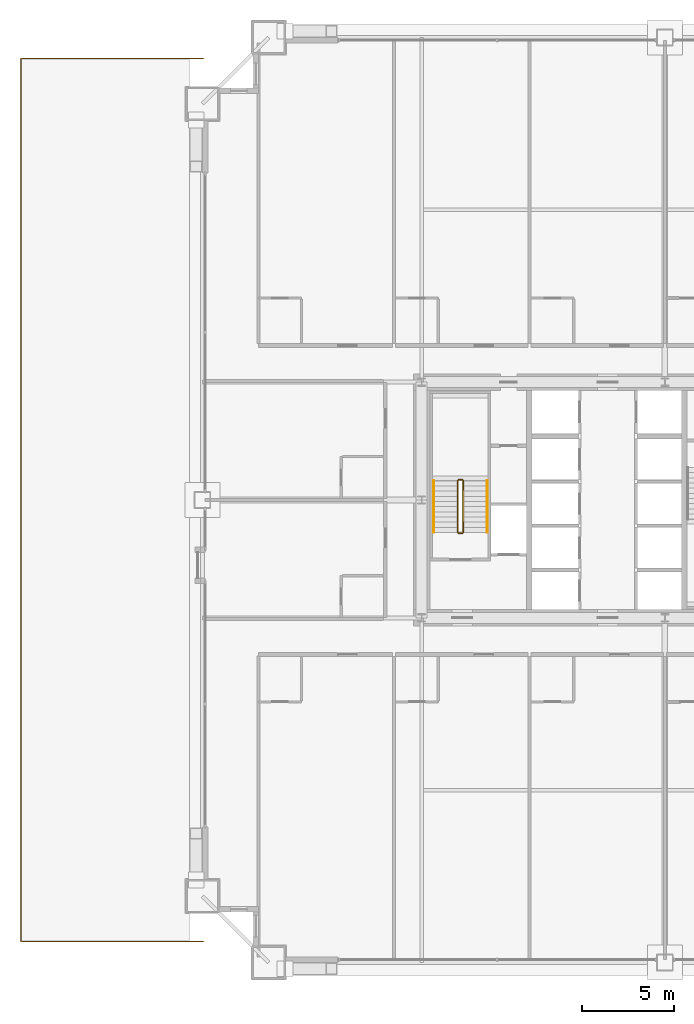
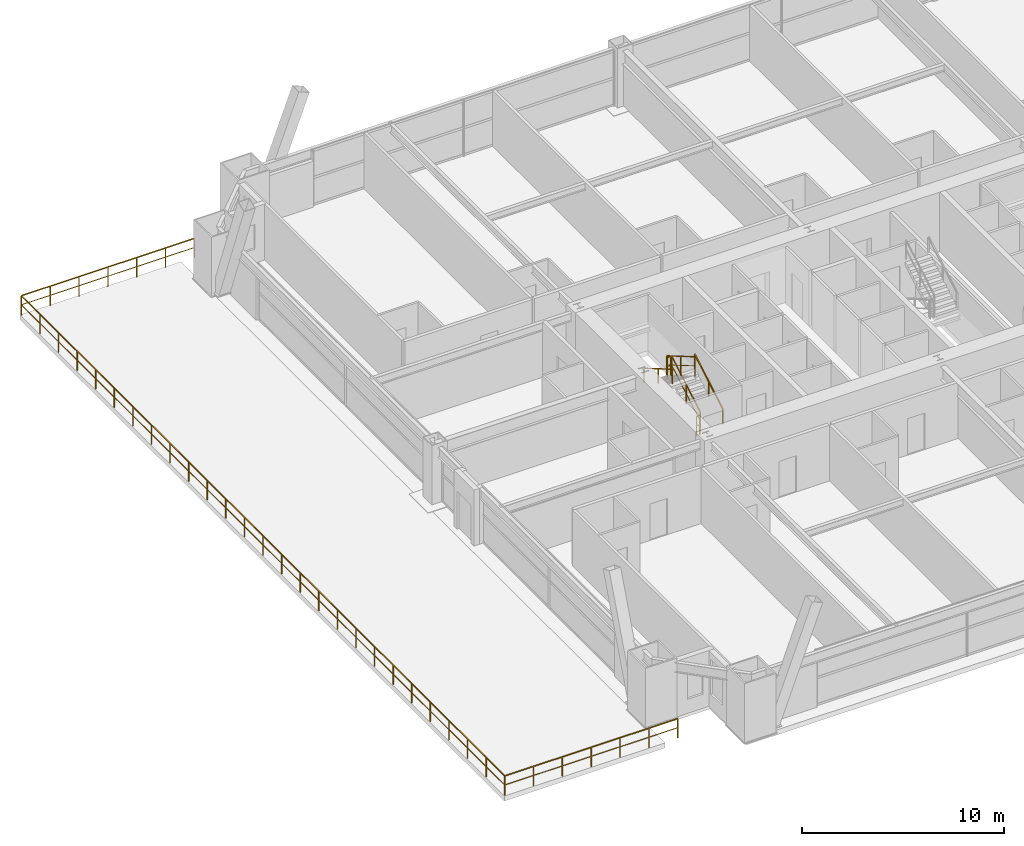
# One storey, part 43 of 45: 7 railings.
"""IFC4 building model written with IfcOpenShell, lengths in metres."""

from ifc_helpers import new_model, si_unit, direction, frame, origin, origin_2d, place, context, subcontext, project, spatial, rectangle, extrude, source, transform, mapped, material, layer, layer_set, type_object, element, save


model = new_model("IFC4")

# Units and contexts
model_context = context("Model", 3, precision=1e-05, world=origin(), true_north=direction((0.0, 1.0)))
body_context = subcontext(model_context, "Body", "Model", "MODEL_VIEW")
ifc_project = project(units=[si_unit("LENGTHUNIT", "METRE"), si_unit("AREAUNIT", "SQUARE_METRE"), si_unit("VOLUMEUNIT", "CUBIC_METRE"), si_unit("PLANEANGLEUNIT", "RADIAN"), si_unit("MASSUNIT", "GRAM", prefix="KILO"), si_unit("THERMODYNAMICTEMPERATUREUNIT", "KELVIN"), si_unit("POWERUNIT", "WATT")], contexts=[model_context])

# Site, building, storey
site_placement = place(None, origin())
site = spatial("IfcSite", under=ifc_project, at=site_placement, CompositionType="ELEMENT")
building_placement = place(site_placement, origin())
building = spatial("IfcBuilding", under=site, at=building_placement, Name="Yuzanri Waterfront Tower", CompositionType="ELEMENT")
storey_placement = place(building_placement, frame((0.0, 0.0, 30.60009765625)))
storey = spatial("IfcBuildingStorey", under=building, at=storey_placement, Name="L07", CompositionType="ELEMENT", Elevation=30.60009765625)

# Railings
ifc_material_1 = material(Name="Anodized Architectural Bronze", Category="metal")
ifc_layer_1 = layer(ifc_material_1, 0.080078125)
ifc_layer_set_1 = layer_set([ifc_layer_1], Name="Anodized Architectural Bronze")
railing_type_1 = type_object("IfcRailingType", Name="Laminated Glass and Bronze Balcony Guardrail 1200", PredefinedType="BALUSTRADE", material=ifc_layer_set_1)
shared_shape_1 = source(origin(), body_context, "Body", "SweptSolid", [
    extrude(rectangle(XDim=0.050048828125, YDim=0.050048828125, at=origin_2d()), frame((0.0, 0.0, 1.1748046875), z_axis=(-1.0, 0.0, 0.0), x_axis=(0.0, -1.0, 0.0)), (0.0, 0.0, 1.0), 9.89990234375),
    extrude(rectangle(XDim=0.035888671875, YDim=0.030029296875, at=origin_2d()), frame((0.0, 0.0, 0.6240234375), z_axis=(-1.0, 0.0, 0.0), x_axis=(0.0, -1.0, 0.0)), (0.0, 0.0, 1.0), 9.89990234375),
    extrude(rectangle(XDim=0.050048828125, YDim=0.050048828125, at=origin_2d()), frame((-9.89990234375, 0.0, 1.1748046875), z_axis=(0.0, 1.0, 0.0), x_axis=(-1.0, 0.0, 0.0)), (0.0, 0.0, 1.0), 47.89990234375),
    extrude(rectangle(XDim=0.035888671875, YDim=0.030029296875, at=origin_2d()), frame((-9.89990234375, 0.0, 0.6240234375), z_axis=(0.0, 1.0, 0.0), x_axis=(-1.0, 0.0, 0.0)), (0.0, 0.0, 1.0), 47.89990234375),
    extrude(rectangle(XDim=0.050048828125, YDim=0.050048828125, at=origin_2d()), frame((-9.89990234375, 47.89990234375, 1.1748046875), z_axis=(1.0, 0.0, 0.0), x_axis=(0.0, 1.0, 0.0)), (0.0, 0.0, 1.0), 9.89990234375),
    extrude(rectangle(XDim=0.035888671875, YDim=0.030029296875, at=origin_2d()), frame((-9.89990234375, 47.89990234375, 0.6240234375), z_axis=(1.0, 0.0, 0.0), x_axis=(0.0, 1.0, 0.0)), (0.0, 0.0, 1.0), 9.89990234375),
    extrude(rectangle(XDim=0.0458984375, YDim=0.0458984375, at=origin_2d()), origin(), (0.0, 0.0, 1.0), 1.14990234375),
    extrude(rectangle(XDim=0.0458984375, YDim=0.0458984375, at=origin_2d()), frame((-1.64990234375, 0.0, 0.0)), (0.0, 0.0, 1.0), 1.14990234375),
    extrude(rectangle(XDim=0.0458984375, YDim=0.0458984375, at=origin_2d()), frame((-3.300048828125, 0.0, 0.0)), (0.0, 0.0, 1.0), 1.14990234375),
    extrude(rectangle(XDim=0.0458984375, YDim=0.0458984375, at=origin_2d()), frame((-4.949951171875, 0.0, 0.0)), (0.0, 0.0, 1.0), 1.14990234375),
    extrude(rectangle(XDim=0.0458984375, YDim=0.0458984375, at=origin_2d()), frame((-6.599853515625, 0.0, 0.0)), (0.0, 0.0, 1.0), 1.14990234375),
    extrude(rectangle(XDim=0.0458984375, YDim=0.0458984375, at=origin_2d()), frame((-8.25, 0.0, 0.0)), (0.0, 0.0, 1.0), 1.14990234375),
    extrude(rectangle(XDim=0.0458984375, YDim=0.0458984375, at=origin_2d()), frame((-9.89990234375, 0.0, 0.0)), (0.0, 0.0, 1.0), 1.14990234375),
    extrude(rectangle(XDim=0.0458984375, YDim=0.0458984375, at=origin_2d()), frame((-9.89990234375, 1.84228515625, 0.0)), (0.0, 0.0, 1.0), 1.14990234375),
    extrude(rectangle(XDim=0.0458984375, YDim=0.0458984375, at=origin_2d()), frame((-9.89990234375, 3.6845703125, 0.0)), (0.0, 0.0, 1.0), 1.14990234375),
    extrude(rectangle(XDim=0.0458984375, YDim=0.0458984375, at=origin_2d()), frame((-9.89990234375, 5.52685546875, 0.0)), (0.0, 0.0, 1.0), 1.14990234375),
    extrude(rectangle(XDim=0.0458984375, YDim=0.0458984375, at=origin_2d()), frame((-9.89990234375, 7.369140625, 0.0)), (0.0, 0.0, 1.0), 1.14990234375),
    extrude(rectangle(XDim=0.0458984375, YDim=0.0458984375, at=origin_2d()), frame((-9.89990234375, 9.21142578125, 0.0)), (0.0, 0.0, 1.0), 1.14990234375),
    extrude(rectangle(XDim=0.0458984375, YDim=0.0458984375, at=origin_2d()), frame((-9.89990234375, 11.0537109375, 0.0)), (0.0, 0.0, 1.0), 1.14990234375),
    extrude(rectangle(XDim=0.0458984375, YDim=0.0458984375, at=origin_2d()), frame((-9.89990234375, 12.896240234375, 0.0)), (0.0, 0.0, 1.0), 1.14990234375),
    extrude(rectangle(XDim=0.0458984375, YDim=0.0458984375, at=origin_2d()), frame((-9.89990234375, 14.738525390625, 0.0)), (0.0, 0.0, 1.0), 1.14990234375),
    extrude(rectangle(XDim=0.0458984375, YDim=0.0458984375, at=origin_2d()), frame((-9.89990234375, 16.580810546875, 0.0)), (0.0, 0.0, 1.0), 1.14990234375),
    extrude(rectangle(XDim=0.0458984375, YDim=0.0458984375, at=origin_2d()), frame((-9.89990234375, 18.423095703125, 0.0)), (0.0, 0.0, 1.0), 1.14990234375),
    extrude(rectangle(XDim=0.0458984375, YDim=0.0458984375, at=origin_2d()), frame((-9.89990234375, 20.265380859375, 0.0)), (0.0, 0.0, 1.0), 1.14990234375),
    extrude(rectangle(XDim=0.0458984375, YDim=0.0458984375, at=origin_2d()), frame((-9.89990234375, 22.107666015625, 0.0)), (0.0, 0.0, 1.0), 1.14990234375),
    extrude(rectangle(XDim=0.0458984375, YDim=0.0458984375, at=origin_2d()), frame((-9.89990234375, 23.949951171875, 0.0)), (0.0, 0.0, 1.0), 1.14990234375),
    extrude(rectangle(XDim=0.0458984375, YDim=0.0458984375, at=origin_2d()), frame((-9.89990234375, 25.792236328125, 0.0)), (0.0, 0.0, 1.0), 1.14990234375),
    extrude(rectangle(XDim=0.0458984375, YDim=0.0458984375, at=origin_2d()), frame((-9.89990234375, 27.634521484375, 0.0)), (0.0, 0.0, 1.0), 1.14990234375),
    extrude(rectangle(XDim=0.0458984375, YDim=0.0458984375, at=origin_2d()), frame((-9.89990234375, 29.476806640625, 0.0)), (0.0, 0.0, 1.0), 1.14990234375),
    extrude(rectangle(XDim=0.0458984375, YDim=0.0458984375, at=origin_2d()), frame((-9.89990234375, 31.319091796875, 0.0)), (0.0, 0.0, 1.0), 1.14990234375),
    extrude(rectangle(XDim=0.0458984375, YDim=0.0458984375, at=origin_2d()), frame((-9.89990234375, 33.161376953125, 0.0)), (0.0, 0.0, 1.0), 1.14990234375),
    extrude(rectangle(XDim=0.0458984375, YDim=0.0458984375, at=origin_2d()), frame((-9.89990234375, 35.003662109375, 0.0)), (0.0, 0.0, 1.0), 1.14990234375),
    extrude(rectangle(XDim=0.0458984375, YDim=0.0458984375, at=origin_2d()), frame((-9.89990234375, 36.84619140625, 0.0)), (0.0, 0.0, 1.0), 1.14990234375),
    extrude(rectangle(XDim=0.0458984375, YDim=0.0458984375, at=origin_2d()), frame((-9.89990234375, 38.6884765625, 0.0)), (0.0, 0.0, 1.0), 1.14990234375),
    extrude(rectangle(XDim=0.0458984375, YDim=0.0458984375, at=origin_2d()), frame((-9.89990234375, 40.53076171875, 0.0)), (0.0, 0.0, 1.0), 1.14990234375),
    extrude(rectangle(XDim=0.0458984375, YDim=0.0458984375, at=origin_2d()), frame((-9.89990234375, 42.373046875, 0.0)), (0.0, 0.0, 1.0), 1.14990234375),
    extrude(rectangle(XDim=0.0458984375, YDim=0.0458984375, at=origin_2d()), frame((-9.89990234375, 44.21533203125, 0.0)), (0.0, 0.0, 1.0), 1.14990234375),
    extrude(rectangle(XDim=0.0458984375, YDim=0.0458984375, at=origin_2d()), frame((-9.89990234375, 46.0576171875, 0.0)), (0.0, 0.0, 1.0), 1.14990234375),
    extrude(rectangle(XDim=0.0458984375, YDim=0.0458984375, at=origin_2d()), frame((-9.89990234375, 47.89990234375, 0.0)), (0.0, 0.0, 1.0), 1.14990234375),
    extrude(rectangle(XDim=0.0458984375, YDim=0.0458984375, at=origin_2d()), frame((-8.25, 47.89990234375, 0.0)), (0.0, 0.0, 1.0), 1.14990234375),
    extrude(rectangle(XDim=0.0458984375, YDim=0.0458984375, at=origin_2d()), frame((-6.599853515625, 47.89990234375, 0.0)), (0.0, 0.0, 1.0), 1.14990234375),
    extrude(rectangle(XDim=0.0458984375, YDim=0.0458984375, at=origin_2d()), frame((-4.949951171875, 47.89990234375, 0.0)), (0.0, 0.0, 1.0), 1.14990234375),
    extrude(rectangle(XDim=0.0458984375, YDim=0.0458984375, at=origin_2d()), frame((-3.300048828125, 47.89990234375, 0.0)), (0.0, 0.0, 1.0), 1.14990234375),
    extrude(rectangle(XDim=0.0458984375, YDim=0.0458984375, at=origin_2d()), frame((-1.64990234375, 47.89990234375, 0.0)), (0.0, 0.0, 1.0), 1.14990234375),
    extrude(rectangle(XDim=0.0458984375, YDim=0.0458984375, at=origin_2d()), frame((0.0, 47.89990234375, 0.0)), (0.0, 0.0, 1.0), 1.14990234375),
])
railing_1_placement = place(storey_placement, frame((11.949951171875, 1.85009765625, 0.0)))
element("IfcRailing", 1, at=railing_1_placement, inside=storey, type_object=railing_type_1, Name="L07 West Podium Roof Terrace Guard", PredefinedType="BALUSTRADE", context=body_context, shape_type="MappedRepresentation", body=[
    mapped(shared_shape_1, transform((0.0, 0.0, 0.0), scale=1.0)),
])
ifc_material_2 = material(Name="Painted Galvanized Fire Steel", Category="steel")
ifc_layer_2 = layer(ifc_material_2, 0.06005859375)
ifc_layer_set_2 = layer_set([ifc_layer_2], Name="Painted Galvanized Fire Steel")
railing_type_2 = type_object("IfcRailingType", Name="Painted Steel Stairwell Guardrail 1120", PredefinedType="GUARDRAIL", material=ifc_layer_set_2)
shared_shape_2 = source(origin(), body_context, "Body", "SweptSolid", [
    extrude(rectangle(XDim=0.050048828125, YDim=0.050048828125, at=origin_2d()), frame((0.0, 0.0, 1.1748046875), z_axis=(-1.0, 0.0, 0.0), x_axis=(0.0, -1.0, 0.0)), (0.0, 0.0, 1.0), 0.199951171875),
    extrude(rectangle(XDim=0.035888671875, YDim=0.030029296875, at=origin_2d()), frame((0.0, 0.0, 0.6240234375), z_axis=(-1.0, 0.0, 0.0), x_axis=(0.0, -1.0, 0.0)), (0.0, 0.0, 1.0), 0.199951171875),
    extrude(rectangle(XDim=0.0458984375, YDim=0.0458984375, at=origin_2d()), origin(), (0.0, 0.0, 1.0), 1.14990234375),
    extrude(rectangle(XDim=0.0458984375, YDim=0.0458984375, at=origin_2d()), frame((-0.199951171875, 0.0, 0.0)), (0.0, 0.0, 1.0), 1.14990234375),
])
for number, where, name in (
    (2, (26.0, 26.889892578125, 1.7998046875), "L07 ST-01 stair guard 2"),
    (3, (26.0, 23.989990234375, 0.0), "L07 ST-01 stair guard 4"),
):
    element("IfcRailing", number, at=place(storey_placement, frame(where)), inside=storey, type_object=railing_type_2, Name=name, PredefinedType="GUARDRAIL", context=body_context, shape_type="MappedRepresentation", body=[
        mapped(shared_shape_2, transform((0.0, 0.0, 0.0), scale=1.0)),
    ])
shared_shape_3 = source(origin(), body_context, "Body", "SweptSolid", [
    extrude(rectangle(XDim=0.050048828125, YDim=0.050048828125, at=origin_2d()), frame((0.0, 0.0, 1.1748046875), z_axis=(0.0, 0.863393664356, 0.504530851732), x_axis=(-1.0, 0.0, 0.0)), (0.0, 0.0, 1.0), 3.2431640625),
    extrude(rectangle(XDim=0.035888671875, YDim=0.030029296875, at=origin_2d()), frame((0.0, 0.0, 0.6240234375), z_axis=(0.0, 0.863393664356, 0.504530851732), x_axis=(-1.0, 0.0, 0.0)), (0.0, 0.0, 1.0), 3.2431640625),
    extrude(rectangle(XDim=0.0458984375, YDim=0.0458984375, at=origin_2d()), origin(), (0.0, 0.0, 1.0), 1.14990234375),
    extrude(rectangle(XDim=0.0458984375, YDim=0.0458984375, at=origin_2d()), frame((0.0, 1.39990234375, 0.818115234375)), (0.0, 0.0, 1.0), 1.14990234375),
    extrude(rectangle(XDim=0.0458984375, YDim=0.0458984375, at=origin_2d()), frame((0.0, 2.800048828125, 1.63623046875)), (0.0, 0.0, 1.0), 1.14990234375),
])
railing_2_placement = place(storey_placement, frame((26.050048828125, 24.0400390625, 0.16357421875)))
element("IfcRailing", 4, at=railing_2_placement, inside=storey, type_object=railing_type_2, Name="L07 ST-01 stair guard 1", PredefinedType="GUARDRAIL", context=body_context, shape_type="MappedRepresentation", body=[
    mapped(shared_shape_3, transform((0.0, 0.0, 0.0), scale=1.0)),
])
shared_shape_4 = source(origin(), body_context, "Body", "SweptSolid", [
    extrude(rectangle(XDim=0.050048828125, YDim=0.050048828125, at=origin_2d()), frame((0.0, 0.0, 1.1748046875), z_axis=(0.0, -0.863393664356, 0.504530851732), x_axis=(1.0, 0.0, 0.0)), (0.0, 0.0, 1.0), 3.2431640625),
    extrude(rectangle(XDim=0.035888671875, YDim=0.030029296875, at=origin_2d()), frame((0.0, 0.0, 0.6240234375), z_axis=(0.0, -0.863393664356, 0.504530851732), x_axis=(1.0, 0.0, 0.0)), (0.0, 0.0, 1.0), 3.2431640625),
    extrude(rectangle(XDim=0.0458984375, YDim=0.0458984375, at=origin_2d()), origin(), (0.0, 0.0, 1.0), 1.14990234375),
    extrude(rectangle(XDim=0.0458984375, YDim=0.0458984375, at=origin_2d()), frame((0.0, -1.39990234375, 0.818115234375)), (0.0, 0.0, 1.0), 1.14990234375),
    extrude(rectangle(XDim=0.0458984375, YDim=0.0458984375, at=origin_2d()), frame((0.0, -2.800048828125, 1.63623046875)), (0.0, 0.0, 1.0), 1.14990234375),
])
railing_3_placement = place(storey_placement, frame((25.75, 26.840087890625, 1.963623046875)))
element("IfcRailing", 5, at=railing_3_placement, inside=storey, type_object=railing_type_2, Name="L07 ST-01 stair guard 3", PredefinedType="GUARDRAIL", context=body_context, shape_type="MappedRepresentation", body=[
    mapped(shared_shape_4, transform((0.0, 0.0, 0.0), scale=1.0)),
])
ifc_material_3 = material(Name="Anodized Architectural Bronze", Category="metal")
ifc_layer_3 = layer(ifc_material_3, 0.050048828125)
ifc_layer_set_3 = layer_set([ifc_layer_3], Name="Anodized Architectural Bronze")
railing_type_3 = type_object("IfcRailingType", Name="Brushed Bronze Stair Pitch Handrail 920", PredefinedType="HANDRAIL", material=ifc_layer_set_3)
shared_shape_5 = source(origin(), body_context, "Body", "SweptSolid", [
    extrude(rectangle(XDim=0.050048828125, YDim=0.050048828125, at=origin_2d()), frame((0.0, 0.0, 0.875), z_axis=(0.0, 0.863393664356, 0.504530851732), x_axis=(-1.0, 0.0, 0.0)), (0.0, 0.0, 1.0), 3.2431640625),
    extrude(rectangle(XDim=0.0458984375, YDim=0.0458984375, at=origin_2d()), origin(), (0.0, 0.0, 1.0), 0.849853515625),
    extrude(rectangle(XDim=0.0458984375, YDim=0.0458984375, at=origin_2d()), frame((0.0, 1.39990234375, 0.818115234375)), (0.0, 0.0, 1.0), 0.849853515625),
    extrude(rectangle(XDim=0.0458984375, YDim=0.0458984375, at=origin_2d()), frame((0.0, 2.800048828125, 1.63623046875)), (0.0, 0.0, 1.0), 0.849853515625),
])
railing_4_placement = place(storey_placement, frame((27.35009765625, 24.0400390625, 0.16357421875)))
element("IfcRailing", 6, at=railing_4_placement, inside=storey, type_object=railing_type_3, Name="L07 ST-01 stair handrail 1", PredefinedType="HANDRAIL", context=body_context, shape_type="MappedRepresentation", body=[
    mapped(shared_shape_5, transform((0.0, 0.0, 0.0), scale=1.0)),
])
shared_shape_6 = source(origin(), body_context, "Body", "SweptSolid", [
    extrude(rectangle(XDim=0.050048828125, YDim=0.050048828125, at=origin_2d()), frame((0.0, 0.0, 0.875), z_axis=(0.0, -0.863393664356, 0.504530851732), x_axis=(1.0, 0.0, 0.0)), (0.0, 0.0, 1.0), 3.2431640625),
    extrude(rectangle(XDim=0.0458984375, YDim=0.0458984375, at=origin_2d()), origin(), (0.0, 0.0, 1.0), 0.849853515625),
    extrude(rectangle(XDim=0.0458984375, YDim=0.0458984375, at=origin_2d()), frame((0.0, -1.39990234375, 0.818115234375)), (0.0, 0.0, 1.0), 0.849853515625),
    extrude(rectangle(XDim=0.0458984375, YDim=0.0458984375, at=origin_2d()), frame((0.0, -2.800048828125, 1.63623046875)), (0.0, 0.0, 1.0), 0.849853515625),
])
railing_5_placement = place(storey_placement, frame((24.449951171875, 26.840087890625, 1.963623046875)))
element("IfcRailing", 7, at=railing_5_placement, inside=storey, type_object=railing_type_3, Name="L07 ST-01 stair handrail 2", PredefinedType="HANDRAIL", context=body_context, shape_type="MappedRepresentation", body=[
    mapped(shared_shape_6, transform((0.0, 0.0, 0.0), scale=1.0)),
])

save(model, "model.ifc")
